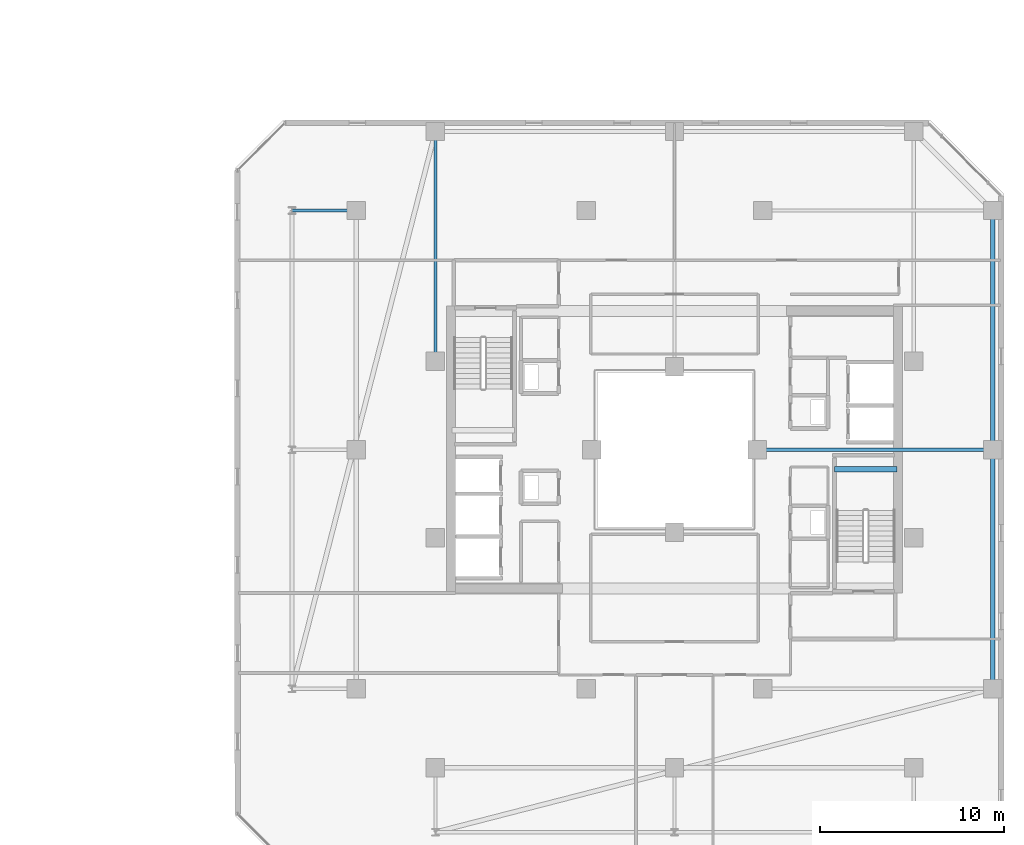
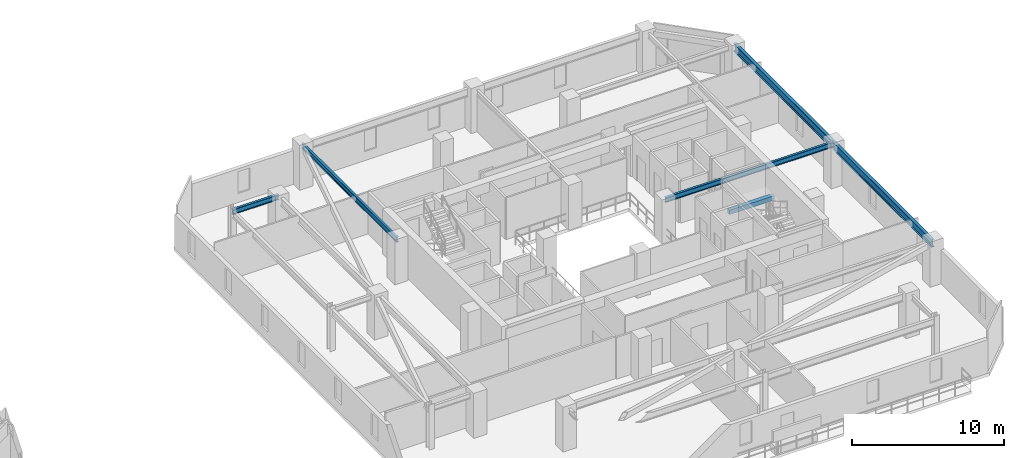
# One storey, part 14 of 33: 6 beams.
"""IFC4 building model written with IfcOpenShell, lengths in metres."""

import ifcopenshell
import ifcopenshell.guid

model = None  # the IFC model being written
_history = None  # IfcOwnerHistory: only IFC2X3 demands one
_inside = {}  # id of a spatial element -> (the spatial element, [elements in it])
_under = {}  # id of a project, library or spatial element -> (it, [spatial elements below it])
_declared = {}  # id of a project -> (the project, [libraries it declares])
_typed = {}  # id of a type object -> (the type object, [elements of that type])
_made_of = {}  # id of a material, layer set ... -> (it, [elements and type objects made of it])


def new_model(schema):
    """Start an empty IFC model of exactly this schema.

    Asked for "IFC4X3", IfcOpenShell would pick the latest addendum, in which some entities
    have other attributes; the version numbers below select the first issue.
    IFC2X3 requires an IfcOwnerHistory on every rooted entity: one is made here for all.
    """
    global model, _history
    if schema == "IFC4X3":
        model = ifcopenshell.file(schema_version=(4, 3, 0, 0))
    else:
        model = ifcopenshell.file(schema=schema)
    _inside.clear()
    _under.clear()
    _declared.clear()
    _typed.clear()
    _made_of.clear()
    _history = None
    if model.schema == "IFC2X3":
        org = make("IfcOrganization", Name="unknown")
        user = make(
            "IfcPersonAndOrganization",
            ThePerson=make("IfcPerson", FamilyName="unknown"),
            TheOrganization=org,
        )
        app = make(
            "IfcApplication",
            ApplicationDeveloper=org,
            Version="unknown",
            ApplicationFullName="unknown",
            ApplicationIdentifier="unknown",
        )
        _history = make(
            "IfcOwnerHistory",
            OwningUser=user,
            OwningApplication=app,
            ChangeAction="ADDED",
            CreationDate=0,
        )
    return model


def make(cls, **values):
    """One entity of the class cls with the attributes given. An attribute that is None is left unset."""
    return model.create_entity(
        cls, **{name: value for name, value in values.items() if value is not None}
    )


def rooted(cls, **values):
    """An entity with a GlobalId (a new one), such as an element, a storey or a relation."""
    return make(cls, GlobalId=ifcopenshell.guid.new(), OwnerHistory=_history, **values)


def si_unit(unit_type, name, prefix=None):
    """IfcSIUnit, for example si_unit("LENGTHUNIT", "METRE", prefix="MILLI")."""
    return make("IfcSIUnit", UnitType=unit_type, Prefix=prefix, Name=name)


def assignment(units):
    """IfcUnitAssignment: the units of a project."""
    return None if units is None else make("IfcUnitAssignment", Units=units)


def point(xyz):
    """IfcCartesianPoint."""
    return None if xyz is None else make("IfcCartesianPoint", Coordinates=xyz)


def direction(xyz):
    """IfcDirection."""
    return None if xyz is None else make("IfcDirection", DirectionRatios=xyz)


def frame(location, z_axis=None, x_axis=None):
    """IfcAxis2Placement3D, a coordinate frame: its origin and axes. An axis left out is left unset."""
    return make(
        "IfcAxis2Placement3D",
        Location=point(location),
        Axis=direction(z_axis),
        RefDirection=direction(x_axis),
    )


def frame_2d(location, x_axis=None):
    """IfcAxis2Placement2D, a coordinate frame in the plane: its origin and x axis."""
    return make(
        "IfcAxis2Placement2D", Location=point(location), RefDirection=direction(x_axis)
    )


def origin():
    """The frame at (0, 0, 0) with its axes left unset."""
    return frame((0.0, 0.0, 0.0))


def origin_2d():
    """The frame at (0, 0) in the plane with its x axis left unset."""
    return frame_2d((0.0, 0.0))


def place(relative_to, where):
    """IfcLocalPlacement: puts the frame where relative to a parent placement (None: the world)."""
    return make(
        "IfcLocalPlacement", PlacementRelTo=relative_to, RelativePlacement=where
    )


def context(
    kind, dimensions, precision=None, world=None, true_north=None, identifier=None
):
    """IfcGeometricRepresentationContext, for example the 3D "Model" context."""
    return make(
        "IfcGeometricRepresentationContext",
        ContextIdentifier=identifier,
        ContextType=kind,
        CoordinateSpaceDimension=dimensions,
        Precision=precision,
        WorldCoordinateSystem=world,
        TrueNorth=true_north,
    )


def subcontext(parent, identifier, kind, view, scale=None):
    """IfcGeometricRepresentationSubContext, for example "Body" below "Model"."""
    return make(
        "IfcGeometricRepresentationSubContext",
        ContextIdentifier=identifier,
        ContextType=kind,
        ParentContext=parent,
        TargetScale=scale,
        TargetView=view,
    )


def project(units=None, contexts=None):
    """IfcProject with its units and contexts."""
    return rooted(
        "IfcProject",
        Name="project",
        RepresentationContexts=contexts,
        UnitsInContext=assignment(units),
    )


def spatial(cls, under=None, at=None, **own):
    """A site, building, storey or space (cls), placed at a placement, below another one or the project."""
    s = rooted(cls, ObjectPlacement=at, **own)
    if under is not None:
        _under.setdefault(under.id(), (under, []))[1].append(s)
    return s


def profile(cls, at=None, kind="AREA", **sizes):
    """A parametric profile (cls). Its sizes go by their IFC names, for example OverallWidth=200.0."""
    return make(cls, ProfileType=kind, Position=at, **sizes)


def rectangle(**sizes):
    """IfcRectangleProfileDef."""
    return profile("IfcRectangleProfileDef", **sizes)


def i_section(**sizes):
    """IfcIShapeProfileDef."""
    return profile("IfcIShapeProfileDef", **sizes)


def extrude(swept, where, along, depth):
    """IfcExtrudedAreaSolid: the profile swept, set in the frame where, extruded along a direction by depth."""
    return make(
        "IfcExtrudedAreaSolid",
        SweptArea=swept,
        Position=where,
        ExtrudedDirection=direction(along),
        Depth=depth,
    )


def shape(context_of_items, identifier, shape_type, items):
    """IfcShapeRepresentation: the items that make up one representation, for example the "Body"."""
    return make(
        "IfcShapeRepresentation",
        ContextOfItems=context_of_items,
        RepresentationIdentifier=identifier,
        RepresentationType=shape_type,
        Items=items,
    )


def material(Name=None, Category=None):
    """IfcMaterial."""
    return make("IfcMaterial", Name=Name, Category=Category)


def material_profile(
    of_material, cross_section, Name=None, Category=None, Priority=None
):
    """IfcMaterialProfile: a cross section and its material."""
    return make(
        "IfcMaterialProfile",
        Name=Name,
        Material=of_material,
        Profile=cross_section,
        Priority=Priority,
        Category=Category,
    )


def profile_set(profiles, Name=None, composite=None):
    """IfcMaterialProfileSet."""
    return make(
        "IfcMaterialProfileSet",
        Name=Name,
        MaterialProfiles=profiles,
        CompositeProfile=composite,
    )


def made_of(thing, what):
    """Note that an element or type object is made of a material, layer set ...; save() writes the relation."""
    if what is not None:
        _made_of.setdefault(what.id(), (what, []))[1].append(thing)
    return thing


def type_object(cls, material=None, **own):
    """A type object (cls), such as IfcWallType, which elements share."""
    return made_of(rooted(cls, **own), material)


def element(
    cls,
    number,
    at=None,
    inside=None,
    cuts=None,
    type_object=None,
    material=None,
    context=None,
    identifier="Body",
    shape_type=None,
    held_by="IfcProductDefinitionShape",
    body=None,
    shapes=None,
    **own,
):
    """One element of the class cls, such as IfcWall. Its Tag is "e" and its number.

    at: its placement. inside: the storey or other place that contains it. cuts: it is an
    opening in that element (IfcRelVoidsElement). A single representation is given by context,
    identifier, shape_type and body (its items); several are given by shapes. held_by: the class
    of the entity that holds the representations. save() writes the other relations.
    """
    e = rooted(cls, Tag="e%d" % number, ObjectPlacement=at, **own)
    if body is not None:
        shapes = [shape(context, identifier, shape_type, body)]
    if shapes is not None:
        e.Representation = make(held_by, Representations=shapes)
    if inside is not None:
        _inside.setdefault(inside.id(), (inside, []))[1].append(e)
    if cuts is not None:
        rooted(
            "IfcRelVoidsElement", RelatingBuildingElement=cuts, RelatedOpeningElement=e
        )
    if type_object is not None:
        _typed.setdefault(type_object.id(), (type_object, []))[1].append(e)
    return made_of(e, material)


def aggregate(whole, parts):
    """IfcRelAggregates: a whole, such as a stair, and the parts it consists of."""
    return rooted("IfcRelAggregates", RelatingObject=whole, RelatedObjects=parts)


def save(model, path):
    """Write the relations noted so far, then the file.

    IfcRelAggregates (storeys below a building ...), IfcRelContainedInSpatialStructure (elements
    in a storey), IfcRelDefinesByType, IfcRelAssociatesMaterial and IfcRelDeclares: one each for
    every whole, place, type object, material and project.
    """
    for whole, parts in _under.values():
        aggregate(whole, parts)
    for where, things in _inside.values():
        rooted(
            "IfcRelContainedInSpatialStructure",
            RelatedElements=things,
            RelatingStructure=where,
        )
    for kind, things in _typed.values():
        rooted("IfcRelDefinesByType", RelatedObjects=things, RelatingType=kind)
    for what, things in _made_of.values():
        rooted("IfcRelAssociatesMaterial", RelatedObjects=things, RelatingMaterial=what)
    for by, libraries in _declared.values():
        rooted("IfcRelDeclares", RelatingContext=by, RelatedDefinitions=libraries)
    model.write(path)


model = new_model("IFC4")

# Units and contexts
model_context = context("Model", 3, precision=1e-05, world=origin(), true_north=direction((0.0, 1.0)))
body_context = subcontext(model_context, "Body", "Model", "MODEL_VIEW")
ifc_project = project(units=[si_unit("LENGTHUNIT", "METRE"), si_unit("AREAUNIT", "SQUARE_METRE"), si_unit("VOLUMEUNIT", "CUBIC_METRE"), si_unit("PLANEANGLEUNIT", "RADIAN"), si_unit("MASSUNIT", "GRAM", prefix="KILO")], contexts=[model_context])

# Site, building, storey
site_placement = place(None, origin())
site = spatial("IfcSite", under=ifc_project, at=site_placement, CompositionType="ELEMENT")
building_placement = place(site_placement, origin())
building = spatial("IfcBuilding", under=site, at=building_placement, Name="Thornwick Lancets Civic Towers", CompositionType="ELEMENT")
storey_placement = place(building_placement, frame((0.0, 0.0, 203.699951171875)))
storey = spatial("IfcBuildingStorey", under=building, at=storey_placement, Name="L54", CompositionType="ELEMENT", Elevation=203.699951171875)

# Beams
ifc_material_1 = material(Name="Steel S355JR", Category="steel")
ifc_material_profile_1 = material_profile(ifc_material_1, i_section(OverallWidth=0.230224609375, OverallDepth=0.6171875, WebThickness=0.01318359375, FlangeThickness=0.022216796875, FilletRadius=0.0126953125, at=origin_2d()), Name="UKB 610x229x140")
ifc_profile_set_1 = profile_set([ifc_material_profile_1], Name="Steel S355JR")
beam_type_1 = type_object("IfcBeamType", Name="BM_GIRD_610_140", PredefinedType="BEAM", material=ifc_profile_set_1)
beam_1_placement = place(storey_placement, frame((105.800048828125, 14.0, 3.051513671875), z_axis=(0.0, 1.0, 0.0), x_axis=(-1.0, 0.0, 0.0)))
element("IfcBeam", 1, at=beam_1_placement, inside=storey, type_object=beam_type_1, Name="BM-SPINE-L54-B-0-1", PredefinedType="BEAM", context=body_context, shape_type="SweptSolid", body=[
    extrude(i_section(OverallWidth=0.230224609375, OverallDepth=0.6171875, WebThickness=0.01318359375, FlangeThickness=0.022216796875, FilletRadius=0.0126953125, at=origin_2d()), origin(), (0.0, 0.0, 1.0), 13.0),
])
beam_2_placement = place(storey_placement, frame((105.800048828125, 27.080078125, 3.051513671875), z_axis=(0.0, 1.0, 0.0), x_axis=(-1.0, 0.0, 0.0)))
element("IfcBeam", 2, at=beam_2_placement, inside=storey, type_object=beam_type_1, Name="BM-SPINE-L54-B-1-2", PredefinedType="BEAM", context=body_context, shape_type="SweptSolid", body=[
    extrude(i_section(OverallWidth=0.230224609375, OverallDepth=0.6171875, WebThickness=0.01318359375, FlangeThickness=0.022216796875, FilletRadius=0.0126953125, at=origin_2d()), origin(), (0.0, 0.0, 1.0), 12.919921875),
])
ifc_material_profile_2 = material_profile(ifc_material_1, i_section(OverallWidth=0.179443359375, OverallDepth=0.412841796875, WebThickness=0.009521484375, FlangeThickness=0.01611328125, FilletRadius=0.01025390625, at=origin_2d()), Name="UKB 406x178x74")
ifc_profile_set_2 = profile_set([ifc_material_profile_2], Name="Steel S355JR")
beam_type_2 = type_object("IfcBeamType", Name="BM_JOIST_406_74", PredefinedType="JOIST", material=ifc_profile_set_2)
beam_3_placement = place(storey_placement, frame((93.0, 27.0, 3.153564453125), z_axis=(1.0, 0.0, 0.0), x_axis=(0.0, 1.0, 0.0)))
element("IfcBeam", 3, at=beam_3_placement, inside=storey, type_object=beam_type_2, Name="BM-RADIN-L54-B02", PredefinedType="JOIST", context=body_context, shape_type="SweptSolid", body=[
    extrude(i_section(OverallWidth=0.179443359375, OverallDepth=0.412841796875, WebThickness=0.009521484375, FlangeThickness=0.01611328125, FilletRadius=0.01025390625, at=origin_2d()), origin(), (0.0, 0.0, 1.0), 12.800048828125),
])
beam_4_placement = place(storey_placement, frame((75.5, 31.800048828125, 3.153564453125), z_axis=(0.0, 1.0, 0.0), x_axis=(-1.0, 0.0, 0.0)))
element("IfcBeam", 4, at=beam_4_placement, inside=storey, type_object=beam_type_2, Name="BM-RADIN-L54-B06", PredefinedType="JOIST", context=body_context, shape_type="SweptSolid", body=[
    extrude(i_section(OverallWidth=0.179443359375, OverallDepth=0.412841796875, WebThickness=0.009521484375, FlangeThickness=0.01611328125, FilletRadius=0.01025390625, at=origin_2d()), origin(), (0.0, 0.0, 1.0), 12.5),
])
beam_5_placement = place(storey_placement, frame((71.199951171875, 40.0, 3.153564453125), z_axis=(-1.0, 0.0, 0.0), x_axis=(0.0, -1.0, 0.0)))
element("IfcBeam", 5, at=beam_5_placement, inside=storey, type_object=beam_type_2, Name="BM-RAD-L54-B09", PredefinedType="JOIST", context=body_context, shape_type="SweptSolid", body=[
    extrude(i_section(OverallWidth=0.179443359375, OverallDepth=0.412841796875, WebThickness=0.009521484375, FlangeThickness=0.01611328125, FilletRadius=0.01025390625, at=origin_2d()), origin(), (0.0, 0.0, 1.0), 3.5),
])
ifc_material_2 = material(Name="Concrete C40/50", Category="concrete")
ifc_material_profile_3 = material_profile(ifc_material_2, rectangle(XDim=0.300048828125, YDim=0.35009765625, at=origin_2d()), Name="RC 300x350")
ifc_profile_set_3 = profile_set([ifc_material_profile_3], Name="Concrete C40/50")
beam_type_3 = type_object("IfcBeamType", Name="BM_STAIR_LDG", PredefinedType="BEAM", material=ifc_profile_set_3)
beam_6_placement = place(storey_placement, frame((100.60009765625, 25.93505859375, 1.3779296875), z_axis=(-1.0, 0.0, 0.0), x_axis=(0.0, -1.0, 0.0)))
element("IfcBeam", 6, at=beam_6_placement, inside=storey, type_object=beam_type_3, Name="L54 ST-B1 Landing Support Beam 1", PredefinedType="BEAM", context=body_context, shape_type="SweptSolid", body=[
    extrude(rectangle(XDim=0.300048828125, YDim=0.35009765625, at=origin_2d()), origin(), (0.0, 0.0, 1.0), 3.400146484375),
])

save(model, "model.ifc")
